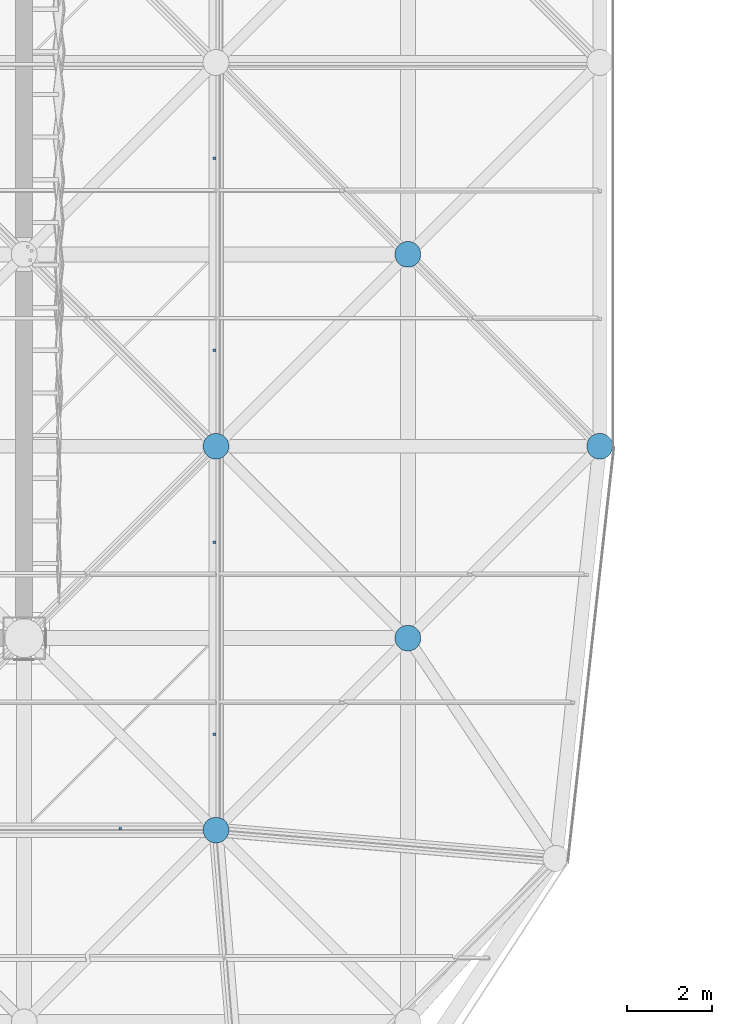
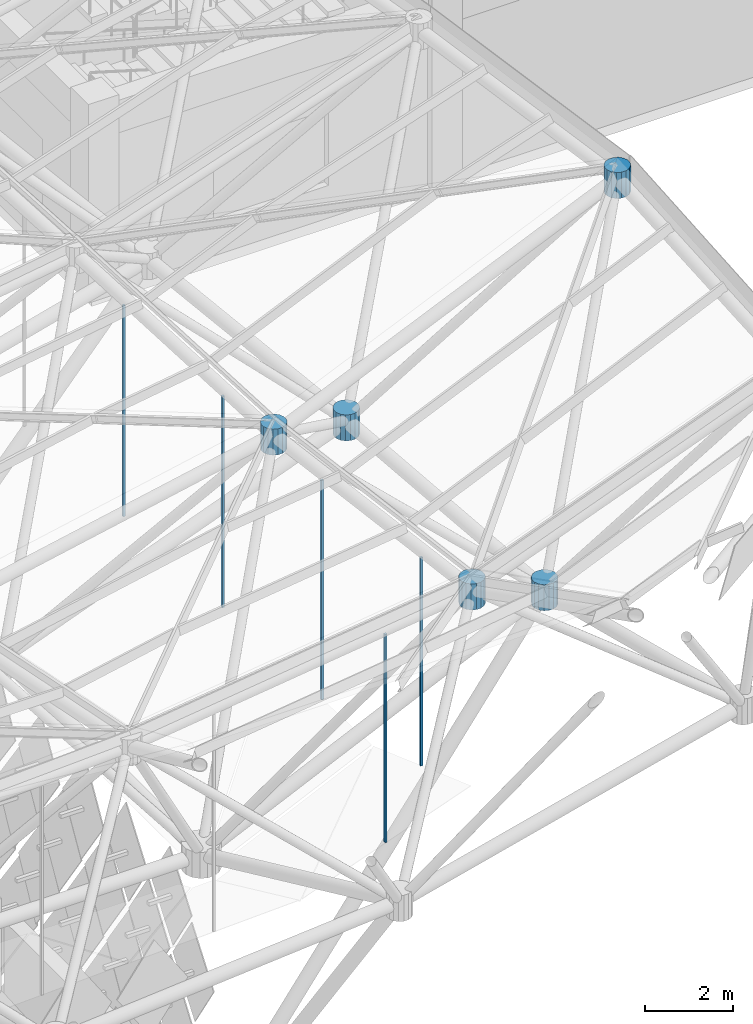
# One storey, part 335 of 437: 10 discrete accessories.
"""IFC4 building model written with IfcOpenShell, lengths in metres."""

from ifc_helpers import new_model, si_unit, direction, frame, origin, place, context, subcontext, project, spatial, polyline, outline, extrude, material, type_object, element, save


model = new_model("IFC4")

# Units and contexts
model_context = context("Model", 3, precision=1e-05, world=origin(), true_north=direction((0.0, 1.0)))
body_context = subcontext(model_context, "Body", "Model", "MODEL_VIEW")
ifc_project = project(units=[si_unit("LENGTHUNIT", "METRE"), si_unit("AREAUNIT", "SQUARE_METRE"), si_unit("VOLUMEUNIT", "CUBIC_METRE"), si_unit("PLANEANGLEUNIT", "RADIAN"), si_unit("MASSUNIT", "GRAM", prefix="KILO")], contexts=[model_context])

# Site, building, storey
site_placement = place(None, origin())
site = spatial("IfcSite", under=ifc_project, at=site_placement, CompositionType="ELEMENT")
building_placement = place(site_placement, origin())
building = spatial("IfcBuilding", under=site, at=building_placement, Name="Opaline Strait Convention Centre", CompositionType="ELEMENT")
storey_placement = place(building_placement, frame((0.0, 0.0, 11.5)))
storey = spatial("IfcBuildingStorey", under=building, at=storey_placement, Name="L02", CompositionType="ELEMENT", Elevation=11.5)

# Discrete accessories
ifc_material_1 = material(Name="Steel Q355B", Category="steel")
discrete_accessory_type_1 = type_object("IfcDiscreteAccessoryType", Name="Soffit hanger 60x60 steel", PredefinedType="BRACKET", material=ifc_material_1)
discrete_accessory_1_placement = place(storey_placement, frame((0.0, 0.0, 14.756591796875)))
element("IfcDiscreteAccessory", 1, at=discrete_accessory_1_placement, inside=storey, type_object=discrete_accessory_type_1, Name="Soffit hanger", PredefinedType="BRACKET", context=body_context, shape_type="SweptSolid", body=[
    extrude(outline(polyline([(263.219970703125, 49.5048828125), (263.280029296875, 49.5048828125), (263.280029296875, 49.56494140625), (263.219970703125, 49.56494140625), (263.219970703125, 49.5048828125)])), origin(), (0.0, 0.0, 1.0), 5.76904296875),
])
discrete_accessory_2_placement = place(storey_placement, frame((0.0, 0.0, 14.756591796875)))
element("IfcDiscreteAccessory", 2, at=discrete_accessory_2_placement, inside=storey, type_object=discrete_accessory_type_1, Name="Soffit hanger", PredefinedType="BRACKET", context=body_context, shape_type="SweptSolid", body=[
    extrude(outline(polyline([(265.43505859375, 51.719970703125), (265.4951171875, 51.719970703125), (265.4951171875, 51.780029296875), (265.43505859375, 51.780029296875), (265.43505859375, 51.719970703125)])), origin(), (0.0, 0.0, 1.0), 5.76904296875),
])
discrete_accessory_3_placement = place(storey_placement, frame((0.0, 0.0, 13.85888671875)))
element("IfcDiscreteAccessory", 3, at=discrete_accessory_3_placement, inside=storey, type_object=discrete_accessory_type_1, Name="Soffit hanger", PredefinedType="BRACKET", context=body_context, shape_type="SweptSolid", body=[
    extrude(outline(polyline([(265.43505859375, 56.219970703125), (265.4951171875, 56.219970703125), (265.4951171875, 56.280029296875), (265.43505859375, 56.280029296875), (265.43505859375, 56.219970703125)])), origin(), (0.0, 0.0, 1.0), 6.080810546875),
])
discrete_accessory_4_placement = place(storey_placement, frame((0.0, 0.0, 13.68359375)))
element("IfcDiscreteAccessory", 4, at=discrete_accessory_4_placement, inside=storey, type_object=discrete_accessory_type_1, Name="Soffit hanger", PredefinedType="BRACKET", context=body_context, shape_type="SweptSolid", body=[
    extrude(outline(polyline([(265.43505859375, 60.719970703125), (265.4951171875, 60.719970703125), (265.4951171875, 60.780029296875), (265.43505859375, 60.780029296875), (265.43505859375, 60.719970703125)])), origin(), (0.0, 0.0, 1.0), 5.854248046875),
])
discrete_accessory_5_placement = place(storey_placement, frame((0.0, 0.0, 13.478271484375)))
element("IfcDiscreteAccessory", 5, at=discrete_accessory_5_placement, inside=storey, type_object=discrete_accessory_type_1, Name="Soffit hanger", PredefinedType="BRACKET", context=body_context, shape_type="SweptSolid", body=[
    extrude(outline(polyline([(265.43505859375, 65.219970703125), (265.4951171875, 65.219970703125), (265.4951171875, 65.280029296875), (265.43505859375, 65.280029296875), (265.43505859375, 65.219970703125)])), origin(), (0.0, 0.0, 1.0), 5.84130859375),
])
ifc_material_2 = material(Name="Cast steel ZG300-500H (300 MPa)", Category="steel")
discrete_accessory_type_2 = type_object("IfcDiscreteAccessoryType", Name="Space frame node hub D600", PredefinedType="USERDEFINED", material=ifc_material_2)
discrete_accessory_6_placement = place(storey_placement, frame((0.0, 0.0, 20.62109375)))
element("IfcDiscreteAccessory", 6, at=discrete_accessory_6_placement, inside=storey, type_object=discrete_accessory_type_2, Name="Top node 21/2", ObjectType="NODE HUB", PredefinedType="USERDEFINED", context=body_context, shape_type="SweptSolid", body=[
    extrude(outline(polyline([(265.800048828125, 49.559814453125), (265.75439453125, 49.669921875), (265.669921875, 49.75439453125), (265.559814453125, 49.800048828125), (265.440185546875, 49.800048828125), (265.330078125, 49.75439453125), (265.24560546875, 49.669921875), (265.199951171875, 49.559814453125), (265.199951171875, 49.440185546875), (265.24560546875, 49.330078125), (265.330078125, 49.24560546875), (265.440185546875, 49.199951171875), (265.559814453125, 49.199951171875), (265.669921875, 49.24560546875), (265.75439453125, 49.330078125), (265.800048828125, 49.440185546875), (265.800048828125, 49.559814453125)])), origin(), (0.0, 0.0, 1.0), 0.719970703125),
])
discrete_accessory_7_placement = place(storey_placement, frame((0.0, 0.0, 19.449462890625)))
element("IfcDiscreteAccessory", 7, at=discrete_accessory_7_placement, inside=storey, type_object=discrete_accessory_type_2, Name="Top node 21/3", ObjectType="NODE HUB", PredefinedType="USERDEFINED", context=body_context, shape_type="SweptSolid", body=[
    extrude(outline(polyline([(265.800048828125, 58.559814453125), (265.75439453125, 58.669921875), (265.669921875, 58.75439453125), (265.559814453125, 58.800048828125), (265.440185546875, 58.800048828125), (265.330078125, 58.75439453125), (265.24560546875, 58.669921875), (265.199951171875, 58.559814453125), (265.199951171875, 58.440185546875), (265.24560546875, 58.330078125), (265.330078125, 58.24560546875), (265.440185546875, 58.199951171875), (265.559814453125, 58.199951171875), (265.669921875, 58.24560546875), (265.75439453125, 58.330078125), (265.800048828125, 58.440185546875), (265.800048828125, 58.559814453125)])), origin(), (0.0, 0.0, 1.0), 0.719970703125),
])
discrete_accessory_8_placement = place(storey_placement, frame((0.0, 0.0, 23.408203125)))
element("IfcDiscreteAccessory", 8, at=discrete_accessory_8_placement, inside=storey, type_object=discrete_accessory_type_2, Name="Top node 22/3", ObjectType="NODE HUB", PredefinedType="USERDEFINED", context=body_context, shape_type="SweptSolid", body=[
    extrude(outline(polyline([(274.800048828125, 58.559814453125), (274.75439453125, 58.669921875), (274.669921875, 58.75439453125), (274.559814453125, 58.800048828125), (274.440185546875, 58.800048828125), (274.330078125, 58.75439453125), (274.24560546875, 58.669921875), (274.199951171875, 58.559814453125), (274.199951171875, 58.440185546875), (274.24560546875, 58.330078125), (274.330078125, 58.24560546875), (274.440185546875, 58.199951171875), (274.559814453125, 58.199951171875), (274.669921875, 58.24560546875), (274.75439453125, 58.330078125), (274.800048828125, 58.440185546875), (274.800048828125, 58.559814453125)])), origin(), (0.0, 0.0, 1.0), 0.719970703125),
])
discrete_accessory_9_placement = place(storey_placement, frame((0.0, 0.0, 16.29638671875)))
element("IfcDiscreteAccessory", 9, at=discrete_accessory_9_placement, inside=storey, type_object=discrete_accessory_type_2, Name="Bottom node 21/2", ObjectType="NODE HUB", PredefinedType="USERDEFINED", context=body_context, shape_type="SweptSolid", body=[
    extrude(outline(polyline([(270.300048828125, 54.059814453125), (270.25439453125, 54.169921875), (270.169921875, 54.25439453125), (270.059814453125, 54.300048828125), (269.940185546875, 54.300048828125), (269.830078125, 54.25439453125), (269.74560546875, 54.169921875), (269.699951171875, 54.059814453125), (269.699951171875, 53.940185546875), (269.74560546875, 53.830078125), (269.830078125, 53.74560546875), (269.940185546875, 53.699951171875), (270.059814453125, 53.699951171875), (270.169921875, 53.74560546875), (270.25439453125, 53.830078125), (270.300048828125, 53.940185546875), (270.300048828125, 54.059814453125)])), origin(), (0.0, 0.0, 1.0), 0.719970703125),
])
discrete_accessory_10_placement = place(storey_placement, frame((0.0, 0.0, 15.54150390625)))
element("IfcDiscreteAccessory", 10, at=discrete_accessory_10_placement, inside=storey, type_object=discrete_accessory_type_2, Name="Bottom node 21/3", ObjectType="NODE HUB", PredefinedType="USERDEFINED", context=body_context, shape_type="SweptSolid", body=[
    extrude(outline(polyline([(270.300048828125, 63.059814453125), (270.25439453125, 63.169921875), (270.169921875, 63.25439453125), (270.059814453125, 63.300048828125), (269.940185546875, 63.300048828125), (269.830078125, 63.25439453125), (269.74560546875, 63.169921875), (269.699951171875, 63.059814453125), (269.699951171875, 62.940185546875), (269.74560546875, 62.830078125), (269.830078125, 62.74560546875), (269.940185546875, 62.699951171875), (270.059814453125, 62.699951171875), (270.169921875, 62.74560546875), (270.25439453125, 62.830078125), (270.300048828125, 62.940185546875), (270.300048828125, 63.059814453125)])), origin(), (0.0, 0.0, 1.0), 0.719970703125),
])

save(model, "model.ifc")
